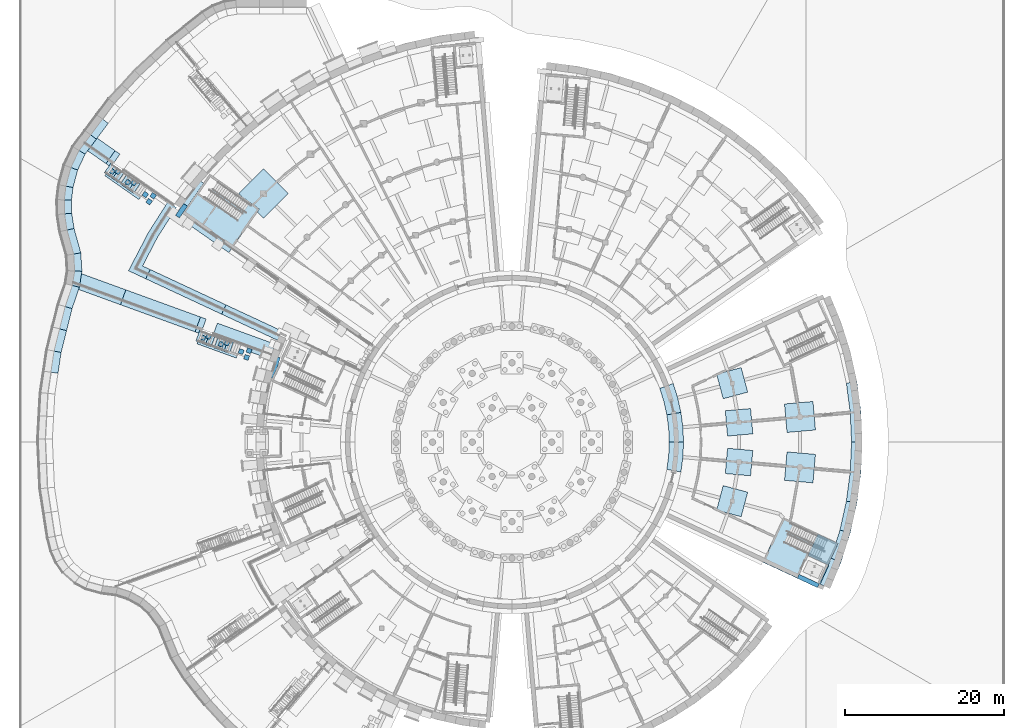
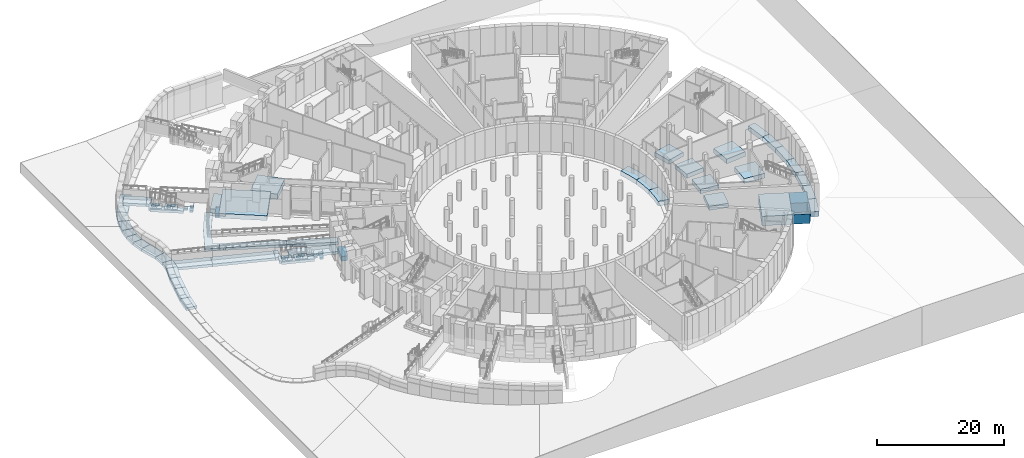
# One storey, part 4 of 65: 76 footings.
"""IFC4 building model written with IfcOpenShell, lengths in metres."""

from ifc_helpers import new_model, si_unit, direction, frame, origin, origin_2d, place, context, subcontext, project, spatial, polyline, rectangle, outline, extrude, material, type_object, element, save


model = new_model("IFC4")

# Units and contexts
model_context = context("Model", 3, precision=1e-05, world=origin(), true_north=direction((0.0, 1.0)))
body_context = subcontext(model_context, "Body", "Model", "MODEL_VIEW")
ifc_project = project(units=[si_unit("LENGTHUNIT", "METRE"), si_unit("AREAUNIT", "SQUARE_METRE"), si_unit("VOLUMEUNIT", "CUBIC_METRE"), si_unit("PLANEANGLEUNIT", "RADIAN"), si_unit("MASSUNIT", "GRAM", prefix="KILO")], contexts=[model_context])

# Site, building, storey
site_placement = place(None, origin())
site = spatial("IfcSite", under=ifc_project, at=site_placement, CompositionType="ELEMENT")
building_placement = place(site_placement, origin())
building = spatial("IfcBuilding", under=site, at=building_placement, Name="Volute Hill Aquarium", CompositionType="ELEMENT")
storey_placement = place(building_placement, frame((0.0, 0.0, -5.5)))
storey = spatial("IfcBuildingStorey", under=building, at=storey_placement, Name="L00", CompositionType="ELEMENT", Elevation=-5.5)

# Footings
ifc_material_1 = material(Name="Concrete C30/37", Category="concrete")
footing_type_1 = type_object("IfcFootingType", Name="Core raft footing 900 C30/37", PredefinedType="PAD_FOOTING", material=ifc_material_1)
footing_1_placement = place(storey_placement, frame((0.0, 0.0, -0.89990234375)))
element("IfcFooting", 1, at=footing_1_placement, inside=storey, type_object=footing_type_1, Name="ft/S6/L00/raftB", PredefinedType="PAD_FOOTING", context=body_context, shape_type="SweptSolid", body=[
    extrude(outline(polyline([(-41.88330078125, 28.228515625), (-41.25244140625, 29.12939453125), (-41.25244140625, 29.12939453125), (-38.040283203125, 33.716796875), (-31.81494140625, 29.357421875), (-34.62548828125, 25.34375), (-34.62548828125, 25.34375), (-35.65771484375, 23.869140625), (-41.88330078125, 28.228515625)])), origin(), (0.0, 0.0, 1.0), 0.89990234375),
])
ifc_material_2 = material(Name="Concrete C30/37", Category="concrete")
footing_type_2 = type_object("IfcFootingType", Name="Drum wall strip footing 1800", PredefinedType="STRIP_FOOTING", material=ifc_material_2)
footing_2_placement = place(storey_placement, frame((0.0, 0.0, -0.89990234375)))
element("IfcFooting", 2, at=footing_2_placement, inside=storey, type_object=footing_type_2, Name="ft/DR/L00/s0", PredefinedType="STRIP_FOOTING", context=body_context, shape_type="SweptSolid", body=[
    extrude(outline(polyline([(21.60009765625, 0.0), (21.517822265625, 1.882568359375), (21.271728515625, 3.750732421875), (19.499267578125, 3.438232421875), (19.724609375, 1.7255859375), (19.800048828125, 0.0), (21.60009765625, 0.0)])), origin(), (0.0, 0.0, 1.0), 0.89990234375),
])
footing_3_placement = place(storey_placement, frame((0.0, 0.0, -0.89990234375)))
element("IfcFooting", 3, at=footing_3_placement, inside=storey, type_object=footing_type_2, Name="ft/DR/L00/s1", PredefinedType="STRIP_FOOTING", context=body_context, shape_type="SweptSolid", body=[
    extrude(outline(polyline([(21.271728515625, 3.750732421875), (20.864013671875, 5.590576171875), (20.29736328125, 7.3876953125), (18.60595703125, 6.77197265625), (19.125244140625, 5.12451171875), (19.499267578125, 3.438232421875), (21.271728515625, 3.750732421875)])), origin(), (0.0, 0.0, 1.0), 0.89990234375),
])
footing_4_placement = place(storey_placement, frame((0.0, 0.0, -0.89990234375)))
element("IfcFooting", 4, at=footing_4_placement, inside=storey, type_object=footing_type_2, Name="ft/DR/L00/s35", PredefinedType="STRIP_FOOTING", context=body_context, shape_type="SweptSolid", body=[
    extrude(outline(polyline([(21.271728515625, -3.750732421875), (21.517822265625, -1.882568359375), (21.60009765625, 0.0), (19.800048828125, 0.0), (19.724609375, -1.7255859375), (19.499267578125, -3.438232421875), (21.271728515625, -3.750732421875)])), origin(), (0.0, 0.0, 1.0), 0.89990234375),
])
ifc_material_3 = material(Name="Concrete C30/37", Category="concrete")
footing_type_3 = type_object("IfcFootingType", Name="Lift core raft footing 1800 C30/37", PredefinedType="PAD_FOOTING", material=ifc_material_3)
footing_5_placement = place(storey_placement, frame((0.0, 0.0, -1.800048828125)))
element("IfcFooting", 5, at=footing_5_placement, inside=storey, type_object=footing_type_3, Name="ft/S4/L00/raftA1", PredefinedType="PAD_FOOTING", context=body_context, shape_type="SweptSolid", body=[
    extrude(outline(polyline([(31.572998046875, -15.10888671875), (35.923095703125, -17.137451171875), (38.522216796875, -11.563720703125), (34.172119140625, -9.53515625), (31.572998046875, -15.10888671875)])), origin(), (0.0, 0.0, 1.0), 1.800048828125),
])
footing_6_placement = place(storey_placement, frame((0.0, 0.0, -1.800048828125)))
element("IfcFooting", 6, at=footing_6_placement, inside=storey, type_object=footing_type_3, Name="ft/S4/L00/raftA2", PredefinedType="PAD_FOOTING", context=body_context, shape_type="SweptSolid", body=[
    extrude(outline(polyline([(37.25439453125, -14.282470703125), (39.7919921875, -15.4658203125), (41.059814453125, -12.7470703125), (38.522216796875, -11.563720703125), (37.25439453125, -14.282470703125)])), origin(), (0.0, 0.0, 1.0), 1.800048828125),
])
footing_7_placement = place(storey_placement, frame((0.0, 0.0, -1.800048828125)))
element("IfcFooting", 7, at=footing_7_placement, inside=storey, type_object=footing_type_3, Name="ft/S4/L00/raftA3", PredefinedType="PAD_FOOTING", context=body_context, shape_type="SweptSolid", body=[
    extrude(outline(polyline([(35.923095703125, -17.137451171875), (38.460693359375, -18.32080078125), (38.693115234375, -17.822265625), (36.155517578125, -16.638916015625), (35.923095703125, -17.137451171875)])), origin(), (0.0, 0.0, 1.0), 1.800048828125),
])
footing_8_placement = place(storey_placement, frame((0.0, 0.0, -1.800048828125)))
element("IfcFooting", 8, at=footing_8_placement, inside=storey, type_object=footing_type_3, Name="ft/S4/L00/raftA4", PredefinedType="PAD_FOOTING", context=body_context, shape_type="SweptSolid", body=[
    extrude(outline(polyline([(38.511962890625, -17.73779296875), (38.783935546875, -17.864501953125), (39.8828125, -15.508056640625), (39.61083984375, -15.38134765625), (38.511962890625, -17.73779296875)])), origin(), (0.0, 0.0, 1.0), 1.800048828125),
])
ifc_material_4 = material(Name="Concrete C30/37", Category="concrete")
footing_type_4 = type_object("IfcFootingType", Name="Outer wall strip footing 1200x900 C30/37", PredefinedType="STRIP_FOOTING", material=ifc_material_4)
footing_9_placement = place(storey_placement, frame((0.0, 0.0, -0.89990234375)))
element("IfcFooting", 9, at=footing_9_placement, inside=storey, type_object=footing_type_4, Name="ft/S1/L00/outer1", PredefinedType="STRIP_FOOTING", context=body_context, shape_type="SweptSolid", body=[
    extrude(outline(polyline([(-31.151123046875, 8.346923828125), (-30.30517578125, 11.030029296875), (-29.177490234375, 10.61962890625), (-29.596435546875, 9.291015625), (-30.160400390625, 8.081298828125), (-31.151123046875, 8.346923828125)])), origin(), (0.0, 0.0, 1.0), 0.89990234375),
])
ifc_material_5 = material(Name="Concrete C30/37", Category="concrete")
footing_type_5 = type_object("IfcFootingType", Name="Outer wall strip footing 1350x900 C30/37", PredefinedType="STRIP_FOOTING", material=ifc_material_5)
footing_10_placement = place(storey_placement, frame((0.0, 0.0, -0.89990234375)))
element("IfcFooting", 10, at=footing_10_placement, inside=storey, type_object=footing_type_5, Name="ft/S4/L00/outer0", PredefinedType="STRIP_FOOTING", context=body_context, shape_type="SweptSolid", body=[
    extrude(outline(polyline([(41.4404296875, -15.0830078125), (40.044921875, -18.452392578125), (38.8212890625, -17.882080078125), (40.06103515625, -14.888916015625), (40.183837890625, -14.625732421875), (41.4404296875, -15.0830078125)])), origin(), (0.0, 0.0, 1.0), 0.89990234375),
])
footing_11_placement = place(storey_placement, frame((0.0, 0.0, -0.89990234375)))
element("IfcFooting", 11, at=footing_11_placement, inside=storey, type_object=footing_type_5, Name="ft/S4/L00/outer1", PredefinedType="STRIP_FOOTING", context=body_context, shape_type="SweptSolid", body=[
    extrude(outline(polyline([(42.597412109375, -11.413818359375), (41.4404296875, -15.0830078125), (40.183837890625, -14.625732421875), (41.059814453125, -12.7470703125), (40.80078125, -12.626220703125), (41.293212890625, -11.064453125), (42.597412109375, -11.413818359375)])), origin(), (0.0, 0.0, 1.0), 0.89990234375),
])
footing_12_placement = place(storey_placement, frame((0.0, 0.0, -0.89990234375)))
element("IfcFooting", 12, at=footing_12_placement, inside=storey, type_object=footing_type_5, Name="ft/S4/L00/outer2", PredefinedType="STRIP_FOOTING", context=body_context, shape_type="SweptSolid", body=[
    extrude(outline(polyline([(43.429931640625, -7.657958984375), (42.597412109375, -11.413818359375), (41.293212890625, -11.064453125), (42.1005859375, -7.423583984375), (43.429931640625, -7.657958984375)])), origin(), (0.0, 0.0, 1.0), 0.89990234375),
])
footing_13_placement = place(storey_placement, frame((0.0, 0.0, -0.89990234375)))
element("IfcFooting", 13, at=footing_13_placement, inside=storey, type_object=footing_type_5, Name="ft/S4/L00/outer3", PredefinedType="STRIP_FOOTING", context=body_context, shape_type="SweptSolid", body=[
    extrude(outline(polyline([(43.93212890625, -3.843505859375), (43.429931640625, -7.657958984375), (42.1005859375, -7.423583984375), (42.58740234375, -3.725830078125), (43.93212890625, -3.843505859375)])), origin(), (0.0, 0.0, 1.0), 0.89990234375),
])
footing_14_placement = place(storey_placement, frame((0.0, 0.0, -0.89990234375)))
element("IfcFooting", 14, at=footing_14_placement, inside=storey, type_object=footing_type_5, Name="ft/S4/L00/outer4", PredefinedType="STRIP_FOOTING", context=body_context, shape_type="SweptSolid", body=[
    extrude(outline(polyline([(44.10009765625, 0.0), (43.93212890625, -3.843505859375), (42.58740234375, -3.725830078125), (42.75, 0.0), (44.10009765625, 0.0)])), origin(), (0.0, 0.0, 1.0), 0.89990234375),
])
footing_15_placement = place(storey_placement, frame((0.0, 0.0, -0.89990234375)))
element("IfcFooting", 15, at=footing_15_placement, inside=storey, type_object=footing_type_5, Name="ft/S4/L00/outer5", PredefinedType="STRIP_FOOTING", context=body_context, shape_type="SweptSolid", body=[
    extrude(outline(polyline([(43.93212890625, 3.843505859375), (44.10009765625, 0.0), (42.75, 0.0), (42.58740234375, 3.725830078125), (43.93212890625, 3.843505859375)])), origin(), (0.0, 0.0, 1.0), 0.89990234375),
])
footing_16_placement = place(storey_placement, frame((0.0, 0.0, -0.89990234375)))
element("IfcFooting", 16, at=footing_16_placement, inside=storey, type_object=footing_type_5, Name="ft/S4/L00/outer6", PredefinedType="STRIP_FOOTING", context=body_context, shape_type="SweptSolid", body=[
    extrude(outline(polyline([(43.429931640625, 7.657958984375), (43.93212890625, 3.843505859375), (42.58740234375, 3.725830078125), (42.1005859375, 7.423583984375), (43.429931640625, 7.657958984375)])), origin(), (0.0, 0.0, 1.0), 0.89990234375),
])
ifc_material_6 = material(Name="Concrete C30/37", Category="concrete")
footing_type_6 = type_object("IfcFootingType", Name="Outer wall strip footing 1600x900 C30/37", PredefinedType="STRIP_FOOTING", material=ifc_material_6)
footing_17_placement = place(storey_placement, frame((0.0, 0.0, -0.89990234375)))
element("IfcFooting", 17, at=footing_17_placement, inside=storey, type_object=footing_type_6, Name="ft/S6/L00/outer9", PredefinedType="STRIP_FOOTING", context=body_context, shape_type="SweptSolid", body=[
    extrude(outline(polyline([(-38.8330078125, 32.584716796875), (-41.25244140625, 29.12939453125), (-42.47412109375, 29.98486328125), (-39.834228515625, 33.425048828125), (-38.8330078125, 32.584716796875)])), origin(), (0.0, 0.0, 1.0), 0.89990234375),
])
ifc_material_7 = material(Name="Concrete C30/37", Category="concrete")
footing_type_7 = type_object("IfcFootingType", Name="Pad footing 3200x3200x800 C30/37", PredefinedType="PAD_FOOTING", material=ifc_material_7)
footing_18_placement = place(storey_placement, frame((0.0, 0.0, -0.800048828125)))
element("IfcFooting", 18, at=footing_18_placement, inside=storey, type_object=footing_type_7, Name="ft/S4/L00/pad1.1", PredefinedType="PAD_FOOTING", context=body_context, shape_type="SweptSolid", body=[
    extrude(outline(polyline([(25.762451171875, -8.5595703125), (28.853515625, -9.3876953125), (29.681640625, -6.296630859375), (26.5908203125, -5.468505859375), (25.762451171875, -8.5595703125)])), origin(), (0.0, 0.0, 1.0), 0.800048828125),
])
footing_19_placement = place(storey_placement, frame((0.0, 0.0, -0.800048828125)))
element("IfcFooting", 19, at=footing_19_placement, inside=storey, type_object=footing_type_7, Name="ft/S4/L00/pad1.2", PredefinedType="PAD_FOOTING", context=body_context, shape_type="SweptSolid", body=[
    extrude(outline(polyline([(26.857421875, -3.955810546875), (30.04541015625, -4.23486328125), (30.32421875, -1.046875), (27.13623046875, -0.76806640625), (26.857421875, -3.955810546875)])), origin(), (0.0, 0.0, 1.0), 0.800048828125),
])
footing_20_placement = place(storey_placement, frame((0.0, 0.0, -0.800048828125)))
element("IfcFooting", 20, at=footing_20_placement, inside=storey, type_object=footing_type_7, Name="ft/S4/L00/pad1.3", PredefinedType="PAD_FOOTING", context=body_context, shape_type="SweptSolid", body=[
    extrude(outline(polyline([(27.13623046875, 0.76806640625), (30.32421875, 1.046875), (30.04541015625, 4.23486328125), (26.857421875, 3.955810546875), (27.13623046875, 0.76806640625)])), origin(), (0.0, 0.0, 1.0), 0.800048828125),
])
footing_21_placement = place(storey_placement, frame((0.0, 0.0, -0.800048828125)))
element("IfcFooting", 21, at=footing_21_placement, inside=storey, type_object=footing_type_7, Name="ft/S4/L00/pad1.4", PredefinedType="PAD_FOOTING", context=body_context, shape_type="SweptSolid", body=[
    extrude(outline(polyline([(26.5908203125, 5.468505859375), (29.681640625, 6.296630859375), (28.853515625, 9.3876953125), (25.762451171875, 8.5595703125), (26.5908203125, 5.468505859375)])), origin(), (0.0, 0.0, 1.0), 0.800048828125),
])
ifc_material_8 = material(Name="Concrete C30/37", Category="concrete")
footing_type_8 = type_object("IfcFootingType", Name="Pad footing 3600x3600x900 C30/37", PredefinedType="PAD_FOOTING", material=ifc_material_8)
footing_22_placement = place(storey_placement, frame((0.0, 0.0, -0.89990234375)))
element("IfcFooting", 22, at=footing_22_placement, inside=storey, type_object=footing_type_8, Name="ft/S4/L00/pad2.2", PredefinedType="PAD_FOOTING", context=body_context, shape_type="SweptSolid", body=[
    extrude(outline(polyline([(34.3115234375, -4.808837890625), (37.897705078125, -5.12255859375), (38.21142578125, -1.5361328125), (34.625244140625, -1.222412109375), (34.3115234375, -4.808837890625)])), origin(), (0.0, 0.0, 1.0), 0.89990234375),
])
footing_23_placement = place(storey_placement, frame((0.0, 0.0, -0.89990234375)))
element("IfcFooting", 23, at=footing_23_placement, inside=storey, type_object=footing_type_8, Name="ft/S4/L00/pad2.3", PredefinedType="PAD_FOOTING", context=body_context, shape_type="SweptSolid", body=[
    extrude(outline(polyline([(34.625244140625, 1.222412109375), (38.21142578125, 1.5361328125), (37.897705078125, 5.12255859375), (34.3115234375, 4.808837890625), (34.625244140625, 1.222412109375)])), origin(), (0.0, 0.0, 1.0), 0.89990234375),
])
ifc_material_9 = material(Name="Concrete C30/37", Category="concrete")
footing_type_9 = type_object("IfcFootingType", Name="Pad footing 4400x4400x1000 C30/37", PredefinedType="PAD_FOOTING", material=ifc_material_9)
footing_24_placement = place(storey_placement, frame((0.0, 0.0, -1.0)))
element("IfcFooting", 24, at=footing_24_placement, inside=storey, type_object=footing_type_9, Name="ft/S6/L00/pad3.4", PredefinedType="PAD_FOOTING", context=body_context, shape_type="SweptSolid", body=[
    extrude(outline(polyline([(-34.40087890625, 31.28955078125), (-31.28955078125, 34.40087890625), (-28.17822265625, 31.28955078125), (-31.28955078125, 28.17822265625), (-32.084228515625, 28.972900390625), (-31.81494140625, 29.357421875), (-33.99609375, 30.884765625), (-34.40087890625, 31.28955078125)])), origin(), (0.0, 0.0, 1.0), 1.0),
])
ifc_material_10 = material(Name="Concrete C30/37", Category="concrete")
footing_type_10 = type_object("IfcFootingType", Name="Retaining wall footing C30/37 2000", PredefinedType="STRIP_FOOTING", material=ifc_material_10)
footing_25_placement = place(storey_placement, frame((-33.804931640625, 12.7294921875, -1.0), z_axis=(0.0, 0.0, 1.0), x_axis=(-0.939692620786, 0.342020143326, 0.0)))
element("IfcFooting", 25, at=footing_25_placement, inside=storey, type_object=footing_type_10, Name="ft/RW160/L00/0", PredefinedType="STRIP_FOOTING", context=body_context, shape_type="SweptSolid", body=[
    extrude(rectangle(XDim=7.739990234375, YDim=2.0, at=origin_2d()), origin(), (0.0, 0.0, 1.0), 0.5),
])
footing_26_placement = place(storey_placement, frame((-39.2080078125, 14.6962890625, -1.0), z_axis=(0.0, 0.0, 1.0), x_axis=(-0.939692620786, 0.342020143326, 0.0)))
element("IfcFooting", 26, at=footing_26_placement, inside=storey, type_object=footing_type_10, Name="ft/RW160/L00/1", PredefinedType="STRIP_FOOTING", context=body_context, shape_type="SweptSolid", body=[
    extrude(rectangle(XDim=0.760009765625, YDim=2.0, at=origin_2d()), origin(), (0.0, 0.0, 1.0), 0.5),
])
footing_27_placement = place(storey_placement, frame((-44.263671875, 16.536376953125, -1.0), z_axis=(0.0, 0.0, 1.0), x_axis=(-0.939692620786, 0.342020143326, 0.0)))
element("IfcFooting", 27, at=footing_27_placement, inside=storey, type_object=footing_type_10, Name="ft/RW160/L00/2", PredefinedType="STRIP_FOOTING", context=body_context, shape_type="SweptSolid", body=[
    extrude(rectangle(XDim=10.0, YDim=2.0, at=origin_2d()), origin(), (0.0, 0.0, 1.0), 0.5),
])
footing_28_placement = place(storey_placement, frame((-52.03173828125, 19.36376953125, -1.0), z_axis=(0.0, 0.0, 1.0), x_axis=(-0.939692620786, 0.342020143326, 0.0)))
element("IfcFooting", 28, at=footing_28_placement, inside=storey, type_object=footing_type_10, Name="ft/RW160/L00/3", PredefinedType="STRIP_FOOTING", context=body_context, shape_type="SweptSolid", body=[
    extrude(rectangle(XDim=6.533447265625, YDim=2.0, at=origin_2d()), origin(), (0.0, 0.0, 1.0), 0.5),
])
footing_29_placement = place(storey_placement, frame((-50.24658203125, 35.67138671875, 0.375), z_axis=(0.0, 0.0, 1.0), x_axis=(-0.819152044289, 0.573576436351, 0.0)))
element("IfcFooting", 29, at=footing_29_placement, inside=storey, type_object=footing_type_10, Name="ft/RW145/L00/1", PredefinedType="STRIP_FOOTING", context=body_context, shape_type="SweptSolid", body=[
    extrude(rectangle(XDim=0.760009765625, YDim=2.0, at=origin_2d()), origin(), (0.0, 0.0, 1.0), 0.5),
])
footing_30_placement = place(storey_placement, frame((-52.0615234375, 36.942138671875, 0.375), z_axis=(0.0, 0.0, 1.0), x_axis=(-0.819152044289, 0.573576436351, 0.0)))
element("IfcFooting", 30, at=footing_30_placement, inside=storey, type_object=footing_type_10, Name="ft/RW145/L00/2", PredefinedType="STRIP_FOOTING", context=body_context, shape_type="SweptSolid", body=[
    extrude(rectangle(XDim=3.6708984375, YDim=2.0, at=origin_2d()), origin(), (0.0, 0.0, 1.0), 0.5),
])
ifc_material_11 = material(Name="Concrete C30/37", Category="concrete")
footing_type_11 = type_object("IfcFootingType", Name="Site edge wall footing C30/37 1800", PredefinedType="STRIP_FOOTING", material=ifc_material_11)
footing_31_placement = place(storey_placement, frame((0.0, 0.0, -1.0)))
element("IfcFooting", 31, at=footing_31_placement, inside=storey, type_object=footing_type_11, Name="ft/RWCFA10.1/L00/0", PredefinedType="STRIP_FOOTING", context=body_context, shape_type="SweptSolid", body=[
    extrude(outline(polyline([(-44.64306640625, 25.77490234375), (-42.242919921875, 29.542236328125), (-43.33935546875, 30.240966796875), (-45.770263671875, 26.42529296875), (-48.2919921875, 21.5810546875), (-45.300048828125, 20.185791015625), (-44.7509765625, 21.3642578125), (-46.51171875, 22.185302734375), (-44.64306640625, 25.77490234375)])), origin(), (0.0, 0.0, 1.0), 0.5),
])
footing_32_placement = place(storey_placement, frame((0.0, 0.0, -1.0)))
element("IfcFooting", 32, at=footing_32_placement, inside=storey, type_object=footing_type_11, Name="ft/RWCFA10.2/L00/0", PredefinedType="STRIP_FOOTING", context=body_context, shape_type="SweptSolid", body=[
    extrude(outline(polyline([(-35.201904296875, 16.911376953125), (-45.566650390625, 21.74462890625), (-46.11572265625, 20.566162109375), (-35.7509765625, 15.73291015625), (-35.201904296875, 16.911376953125)])), origin(), (0.0, 0.0, 1.0), 0.5),
])
footing_33_placement = place(storey_placement, frame((0.0, 0.0, -1.0)))
element("IfcFooting", 33, at=footing_33_placement, inside=storey, type_object=footing_type_11, Name="ft/RWCFA10.3/L00/0", PredefinedType="STRIP_FOOTING", context=body_context, shape_type="SweptSolid", body=[
    extrude(outline(polyline([(-28.69287109375, 13.8759765625), (-36.017578125, 17.291748046875), (-36.566650390625, 16.11328125), (-29.19140625, 12.67431640625), (-28.69287109375, 13.8759765625)])), origin(), (0.0, 0.0, 1.0), 0.5),
])
footing_34_placement = place(storey_placement, frame((0.0, 0.0, -1.0)))
element("IfcFooting", 34, at=footing_34_placement, inside=storey, type_object=footing_type_11, Name="ft/RWE/84.1", PredefinedType="STRIP_FOOTING", context=body_context, shape_type="SweptSolid", body=[
    extrude(outline(polyline([(-52.280029296875, 41.223388671875), (-53.7724609375, 39.2314453125), (-52.331787109375, 38.152099609375), (-50.839599609375, 40.144287109375), (-52.280029296875, 41.223388671875)])), origin(), (0.0, 0.0, 1.0), 0.5),
])
footing_35_placement = place(storey_placement, frame((0.0, 0.0, -1.0)))
element("IfcFooting", 35, at=footing_35_placement, inside=storey, type_object=footing_type_11, Name="ft/RWE/84.2", PredefinedType="STRIP_FOOTING", context=body_context, shape_type="SweptSolid", body=[
    extrude(outline(polyline([(-53.7724609375, 39.2314453125), (-55.2919921875, 37.202880859375), (-53.741943359375, 36.26953125), (-53.741943359375, 36.26953125), (-52.331787109375, 38.152099609375), (-53.7724609375, 39.2314453125)])), origin(), (0.0, 0.0, 1.0), 0.5),
])
footing_36_placement = place(storey_placement, frame((0.0, 0.0, -1.0)))
element("IfcFooting", 36, at=footing_36_placement, inside=storey, type_object=footing_type_11, Name="ft/RWE/85.0", PredefinedType="STRIP_FOOTING", context=body_context, shape_type="SweptSolid", body=[
    extrude(outline(polyline([(-56.385009765625, 34.887451171875), (-56.385009765625, 34.887451171875), (-54.6884765625, 34.2646484375), (-54.6884765625, 34.2646484375), (-53.741943359375, 36.26953125), (-55.2919921875, 37.202880859375), (-55.2919921875, 37.202880859375), (-56.385009765625, 34.887451171875)])), origin(), (0.0, 0.0, 1.0), 0.5),
])
footing_37_placement = place(storey_placement, frame((0.0, 0.0, -1.0)))
element("IfcFooting", 37, at=footing_37_placement, inside=storey, type_object=footing_type_11, Name="ft/RWE/86.0", PredefinedType="STRIP_FOOTING", context=body_context, shape_type="SweptSolid", body=[
    extrude(outline(polyline([(-56.385009765625, 34.887451171875), (-57.051513671875, 32.40673828125), (-55.27880859375, 32.067626953125), (-54.6884765625, 34.2646484375), (-56.385009765625, 34.887451171875)])), origin(), (0.0, 0.0, 1.0), 0.5),
])
footing_38_placement = place(storey_placement, frame((0.0, 0.0, -1.0)))
element("IfcFooting", 38, at=footing_38_placement, inside=storey, type_object=footing_type_11, Name="ft/RWE/87.0", PredefinedType="STRIP_FOOTING", context=body_context, shape_type="SweptSolid", body=[
    extrude(outline(polyline([(-57.267333984375, 30.546630859375), (-57.267333984375, 30.546630859375), (-55.465576171875, 30.458251953125), (-55.27880859375, 32.067626953125), (-55.27880859375, 32.067626953125), (-57.051513671875, 32.40673828125), (-57.051513671875, 32.40673828125), (-57.267333984375, 30.546630859375)])), origin(), (0.0, 0.0, 1.0), 0.5),
])
footing_39_placement = place(storey_placement, frame((0.0, 0.0, -1.0)))
element("IfcFooting", 39, at=footing_39_placement, inside=storey, type_object=footing_type_11, Name="ft/RWE/88.0", PredefinedType="STRIP_FOOTING", context=body_context, shape_type="SweptSolid", body=[
    extrude(outline(polyline([(-57.23486328125, 28.6728515625), (-57.23486328125, 28.6728515625), (-55.437255859375, 28.825927734375), (-55.437255859375, 28.825927734375), (-55.465576171875, 30.458251953125), (-57.267333984375, 30.546630859375), (-57.23486328125, 28.6728515625)])), origin(), (0.0, 0.0, 1.0), 0.5),
])
footing_40_placement = place(storey_placement, frame((0.0, 0.0, -1.0)))
element("IfcFooting", 40, at=footing_40_placement, inside=storey, type_object=footing_type_11, Name="ft/RWE/89.0", PredefinedType="STRIP_FOOTING", context=body_context, shape_type="SweptSolid", body=[
    extrude(outline(polyline([(-57.23486328125, 28.6728515625), (-56.904296875, 26.524169921875), (-55.141357421875, 26.902587890625), (-55.437255859375, 28.825927734375), (-57.23486328125, 28.6728515625)])), origin(), (0.0, 0.0, 1.0), 0.5),
])
footing_41_placement = place(storey_placement, frame((0.0, 0.0, -1.0)))
element("IfcFooting", 41, at=footing_41_placement, inside=storey, type_object=footing_type_11, Name="ft/RWE/90.0", PredefinedType="STRIP_FOOTING", context=body_context, shape_type="SweptSolid", body=[
    extrude(outline(polyline([(-56.077880859375, 23.541259765625), (-56.077880859375, 23.541259765625), (-54.29248046875, 23.8388671875), (-55.141357421875, 26.902587890625), (-55.141357421875, 26.902587890625), (-56.904296875, 26.524169921875), (-56.904296875, 26.524169921875), (-56.077880859375, 23.541259765625)])), origin(), (0.0, 0.0, 1.0), 0.5),
])
footing_42_placement = place(storey_placement, frame((0.0, 0.0, -1.0)))
element("IfcFooting", 42, at=footing_42_placement, inside=storey, type_object=footing_type_11, Name="ft/RWE/91.0", PredefinedType="STRIP_FOOTING", context=body_context, shape_type="SweptSolid", body=[
    extrude(outline(polyline([(-56.077880859375, 23.541259765625), (-55.961181640625, 21.601318359375), (-54.152587890625, 21.51220703125), (-54.29248046875, 23.8388671875), (-54.29248046875, 23.8388671875), (-56.077880859375, 23.541259765625)])), origin(), (0.0, 0.0, 1.0), 0.5),
])
footing_43_placement = place(storey_placement, frame((0.0, 0.0, -1.0)))
element("IfcFooting", 43, at=footing_43_placement, inside=storey, type_object=footing_type_11, Name="ft/RWE/92.0", PredefinedType="STRIP_FOOTING", context=body_context, shape_type="SweptSolid", body=[
    extrude(outline(polyline([(-56.224853515625, 19.9521484375), (-56.224853515625, 19.9521484375), (-54.4716796875, 19.516357421875), (-54.152587890625, 21.51220703125), (-54.152587890625, 21.51220703125), (-55.961181640625, 21.601318359375), (-55.961181640625, 21.601318359375), (-56.224853515625, 19.9521484375)])), origin(), (0.0, 0.0, 1.0), 0.5),
])
footing_44_placement = place(storey_placement, frame((0.0, 0.0, -1.0)))
element("IfcFooting", 44, at=footing_44_placement, inside=storey, type_object=footing_type_11, Name="ft/RWE/93.0", PredefinedType="STRIP_FOOTING", context=body_context, shape_type="SweptSolid", body=[
    extrude(outline(polyline([(-56.224853515625, 19.9521484375), (-57.119140625, 17.32958984375), (-55.391357421875, 16.819580078125), (-54.4716796875, 19.516357421875), (-56.224853515625, 19.9521484375)])), origin(), (0.0, 0.0, 1.0), 0.5),
])
footing_45_placement = place(storey_placement, frame((0.0, 0.0, -1.0)))
element("IfcFooting", 45, at=footing_45_placement, inside=storey, type_object=footing_type_11, Name="ft/RWE/94.0", PredefinedType="STRIP_FOOTING", context=body_context, shape_type="SweptSolid", body=[
    extrude(outline(polyline([(-57.119140625, 17.32958984375), (-57.830810546875, 14.48876953125), (-56.084716796875, 14.05126953125), (-55.391357421875, 16.819580078125), (-55.391357421875, 16.819580078125), (-57.119140625, 17.32958984375), (-57.119140625, 17.32958984375)])), origin(), (0.0, 0.0, 1.0), 0.5),
])
footing_46_placement = place(storey_placement, frame((0.0, 0.0, -1.0)))
element("IfcFooting", 46, at=footing_46_placement, inside=storey, type_object=footing_type_11, Name="ft/RWE/94.1", PredefinedType="STRIP_FOOTING", context=body_context, shape_type="SweptSolid", body=[
    extrude(outline(polyline([(-58.54296875, 11.64501953125), (-58.54296875, 11.64501953125), (-56.77587890625, 11.291748046875), (-56.77587890625, 11.291748046875), (-56.084716796875, 14.05126953125), (-57.830810546875, 14.48876953125), (-58.54296875, 11.64501953125)])), origin(), (0.0, 0.0, 1.0), 0.5),
])
footing_47_placement = place(storey_placement, frame((0.0, 0.0, -1.0)))
element("IfcFooting", 47, at=footing_47_placement, inside=storey, type_object=footing_type_11, Name="ft/RWE/95.0", PredefinedType="STRIP_FOOTING", context=body_context, shape_type="SweptSolid", body=[
    extrude(outline(polyline([(-58.54296875, 11.64501953125), (-58.948974609375, 8.941650390625), (-57.1689453125, 8.674560546875), (-56.77587890625, 11.291748046875), (-58.54296875, 11.64501953125)])), origin(), (0.0, 0.0, 1.0), 0.5),
])
ifc_material_12 = material(Name="Concrete C30/37", Category="concrete")
footing_type_12 = type_object("IfcFootingType", Name="Stair foot pad footing C30/37 600", PredefinedType="PAD_FOOTING", material=ifc_material_12)
for number, where, z_axis, x_axis, name in (
    (48, (-33.107177734375, 11.51806640625, -0.89990234375), (0.0, 0.0, 1.0), (-0.939692620786, 0.342020143326, 0.0), "ft/ST160/L00/p0"),
    (49, (-33.4150390625, 10.672119140625, -0.89990234375), (0.0, 0.0, 1.0), (-0.939692620786, 0.342020143326, 0.0), "ft/ST160/L00/p1"),
    (50, (-34.10693359375, 11.40283203125, -0.89990234375), (0.0, 0.0, 1.0), (-0.939692620786, 0.342020143326, 0.0), "ft/ST160/L00/p2"),
    (51, (-35.877685546875, 12.47314453125, -0.89990234375), (0.0, 0.0, 1.0), (-0.939692620786, 0.342020143326, 0.0), "ft/ST160/L00/q0"),
    (52, (-36.648681640625, 12.328125, -0.89990234375), (0.0, 0.0, 1.0), (-0.939692620786, 0.342020143326, 0.0), "ft/ST160/L00/q1"),
    (53, (-38.189208984375, 13.314453125, -0.89990234375), (0.0, 0.0, 1.0), (-0.939692620786, 0.342020143326, 0.0), "ft/ST160/L00/q2"),
    (54, (-38.90869140625, 13.150634765625, -0.89990234375), (0.0, 0.0, 1.0), (-0.939692620786, 0.342020143326, 0.0), "ft/ST160/L00/q3"),
    (55, (-45.17626953125, 31.0224609375, 0.47509765625), (0.0, 0.0, 1.0), (-0.819152044289, 0.573576436351, 0.0), "ft/ST145/L00/p0"),
    (56, (-45.6923828125, 30.28515625, 0.47509765625), (0.0, 0.0, 1.0), (-0.819152044289, 0.573576436351, 0.0), "ft/ST145/L00/p1"),
    (57, (-46.171630859375, 31.169921875, 0.47509765625), (0.0, 0.0, 1.0), (-0.819152044289, 0.573576436351, 0.0), "ft/ST145/L00/p2"),
    (58, (-47.60498046875, 32.662109375, 0.47509765625), (0.0, 0.0, 1.0), (-0.819152044289, 0.573576436351, 0.0), "ft/ST145/L00/q0"),
    (59, (-48.387451171875, 32.7216796875, 0.47509765625), (0.0, 0.0, 1.0), (-0.819152044289, 0.573576436351, 0.0), "ft/ST145/L00/q1"),
    (60, (-49.6201171875, 34.072998046875, 0.47509765625), (0.0, 0.0, 1.0), (-0.819152044289, 0.573576436351, 0.0), "ft/ST145/L00/q2"),
    (61, (-50.357421875, 34.100830078125, 0.47509765625), (0.0, 0.0, 1.0), (-0.819152044289, 0.573576436351, 0.0), "ft/ST145/L00/q3"),
):
    element("IfcFooting", number, at=place(storey_placement, frame(where, z_axis=z_axis, x_axis=x_axis)), inside=storey, type_object=footing_type_12, Name=name, PredefinedType="PAD_FOOTING", context=body_context, shape_type="SweptSolid", body=[
        extrude(rectangle(XDim=0.60009765625, YDim=0.60009765625, at=origin_2d()), origin(), (0.0, 0.0, 1.0), 0.39990234375),
    ])
ifc_material_13 = material(Name="Concrete C30/37", Category="concrete")
footing_type_13 = type_object("IfcFootingType", Name="Stair string wall footing C30/37 800", PredefinedType="STRIP_FOOTING", material=ifc_material_13)
footing_48_placement = place(storey_placement, frame((-37.04736328125, 11.861328125, -1.0), z_axis=(0.0, 0.0, 1.0), x_axis=(-0.939692620786, 0.342020143326, 0.0)))
element("IfcFooting", 62, at=footing_48_placement, inside=storey, type_object=footing_type_13, Name="ft/ST160/L00/1", PredefinedType="STRIP_FOOTING", context=body_context, shape_type="SweptSolid", body=[
    extrude(rectangle(XDim=5.239990234375, YDim=0.800048828125, at=origin_2d()), origin(), (0.0, 0.0, 1.0), 0.5),
])
for number, where, z_axis, x_axis, name in (
    (63, (-35.700439453125, 12.009521484375, -1.0), (0.0, 0.0, 1.0), (-0.342020143326, -0.939692620786, 0.0), "ft/ST160/L00/xa"),
    (64, (-36.875, 12.43701171875, -1.0), (0.0, 0.0, 1.0), (-0.342020143326, -0.939692620786, 0.0), "ft/ST160/L00/xb"),
    (65, (-38.01220703125, 12.850830078125, -1.0), (0.0, 0.0, 1.0), (-0.342020143326, -0.939692620786, 0.0), "ft/ST160/L00/xc"),
    (66, (-39.186767578125, 13.2783203125, -1.0), (0.0, 0.0, 1.0), (-0.342020143326, -0.939692620786, 0.0), "ft/ST160/L00/xd"),
    (67, (-36.4052734375, 12.26611328125, -1.0), (0.0, 0.0, 1.0), (-0.342020143326, -0.939692620786, 0.0), "ft/ST160/L00/xe"),
    (68, (-38.716796875, 13.107421875, -1.0), (0.0, 0.0, 1.0), (-0.342020143326, -0.939692620786, 0.0), "ft/ST160/L00/xf"),
):
    element("IfcFooting", number, at=place(storey_placement, frame(where, z_axis=z_axis, x_axis=x_axis)), inside=storey, type_object=footing_type_13, Name=name, PredefinedType="STRIP_FOOTING", context=body_context, shape_type="SweptSolid", body=[
        extrude(rectangle(XDim=1.449951171875, YDim=0.800048828125, at=origin_2d()), origin(), (0.0, 0.0, 1.0), 0.5),
    ])
footing_49_placement = place(storey_placement, frame((-48.893310546875, 32.373779296875, 0.375), z_axis=(0.0, 0.0, 1.0), x_axis=(-0.819152044289, 0.573576436351, 0.0)))
element("IfcFooting", 69, at=footing_49_placement, inside=storey, type_object=footing_type_13, Name="ft/ST145/L00/1", PredefinedType="STRIP_FOOTING", context=body_context, shape_type="SweptSolid", body=[
    extrude(rectangle(XDim=5.239990234375, YDim=0.800048828125, at=origin_2d()), origin(), (0.0, 0.0, 1.0), 0.5),
])
for number, where, z_axis, x_axis, name in (
    (70, (-47.553955078125, 32.16845703125, 0.375), (0.0, 0.0, 1.0), (-0.573576436351, -0.819152044289, 0.0), "ft/ST145/L00/xa"),
    (71, (-48.577880859375, 32.885498046875, 0.375), (0.0, 0.0, 1.0), (-0.573576436351, -0.819152044289, 0.0), "ft/ST145/L00/xb"),
    (72, (-49.569091796875, 33.579345703125, 0.375), (0.0, 0.0, 1.0), (-0.573576436351, -0.819152044289, 0.0), "ft/ST145/L00/xc"),
    (73, (-50.593017578125, 34.29638671875, 0.375), (0.0, 0.0, 1.0), (-0.573576436351, -0.819152044289, 0.0), "ft/ST145/L00/xd"),
    (74, (-48.16845703125, 32.5986328125, 0.375), (0.0, 0.0, 1.0), (-0.573576436351, -0.819152044289, 0.0), "ft/ST145/L00/xe"),
    (75, (-50.18359375, 34.009521484375, 0.375), (0.0, 0.0, 1.0), (-0.573576436351, -0.819152044289, 0.0), "ft/ST145/L00/xf"),
):
    element("IfcFooting", number, at=place(storey_placement, frame(where, z_axis=z_axis, x_axis=x_axis)), inside=storey, type_object=footing_type_13, Name=name, PredefinedType="STRIP_FOOTING", context=body_context, shape_type="SweptSolid", body=[
        extrude(rectangle(XDim=1.449951171875, YDim=0.800048828125, at=origin_2d()), origin(), (0.0, 0.0, 1.0), 0.5),
    ])
ifc_material_14 = material(Name="Concrete C30/37", Category="concrete")
footing_type_14 = type_object("IfcFootingType", Name="Strip footing 1800x900 C30/37", PredefinedType="STRIP_FOOTING", material=ifc_material_14)
footing_50_placement = place(storey_placement, frame((0.0, 0.0, -0.89990234375)))
element("IfcFooting", 76, at=footing_50_placement, inside=storey, type_object=footing_type_14, Name="ft/S6/L00/stripB0", PredefinedType="STRIP_FOOTING", context=body_context, shape_type="SweptSolid", body=[
    extrude(outline(polyline([(-42.375, 28.572509765625), (-41.342529296875, 30.047119140625), (-40.85107421875, 29.702880859375), (-41.25244140625, 29.12939453125), (-41.25244140625, 29.12939453125), (-41.88330078125, 28.228515625), (-42.375, 28.572509765625)])), origin(), (0.0, 0.0, 1.0), 0.89990234375),
])

save(model, "model.ifc")
